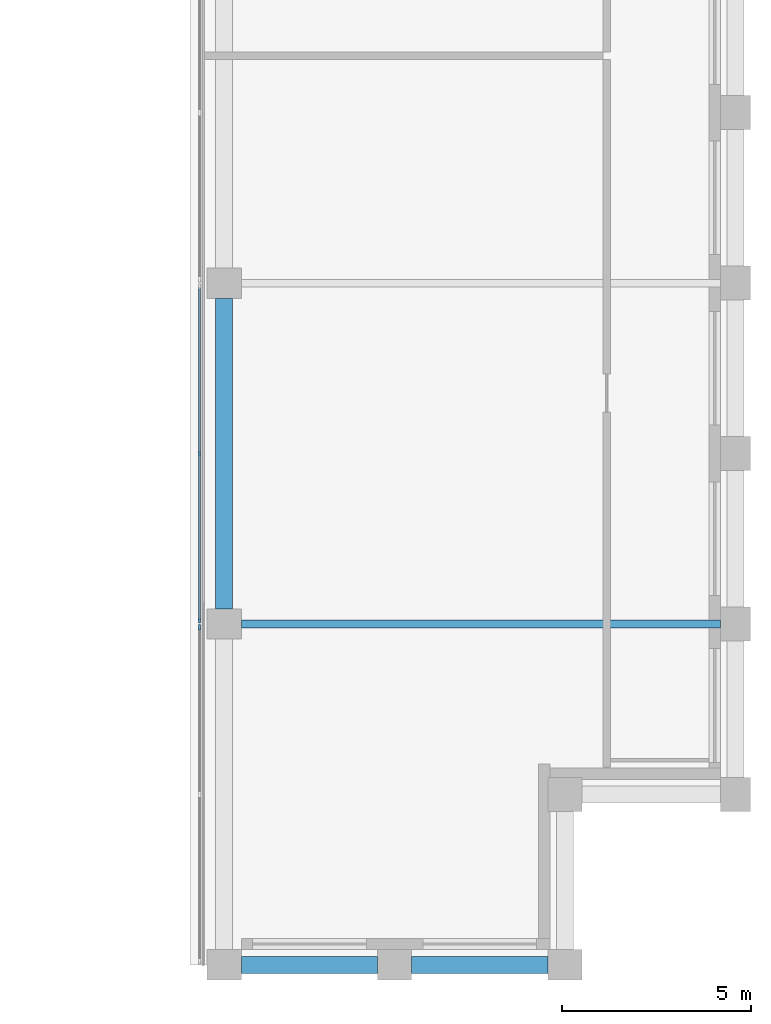
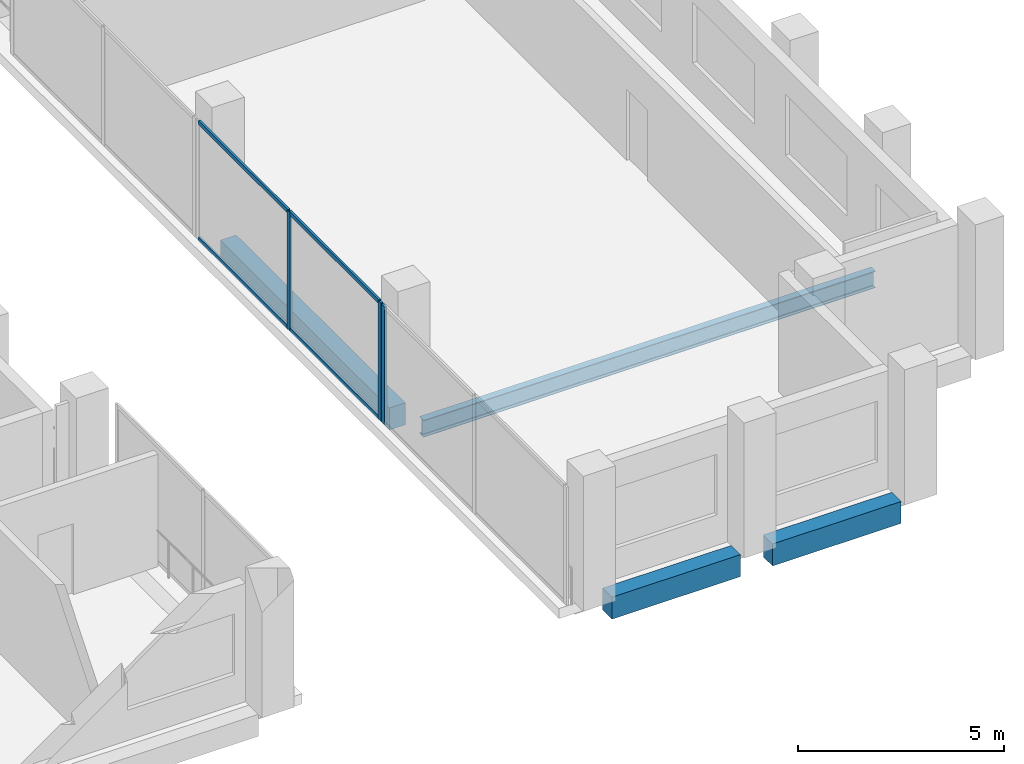
# One storey, part 3 of 9: 7 members, 4 beams, 2 elements without a shape of their own.
"""IFC4 building model written with IfcOpenShell, lengths in metres."""

from ifc_helpers import new_model, si_unit, direction, frame, origin, origin_2d, place, context, subcontext, project, spatial, rectangle, i_section, extrude, material, material_profile, profile_set, type_object, element, aggregate, save


model = new_model("IFC4")

# Units and contexts
model_context = context("Model", 3, precision=1e-05, world=origin(), true_north=direction((0.0, 1.0)))
body_context = subcontext(model_context, "Body", "Model", "MODEL_VIEW")
ifc_project = project(units=[si_unit("LENGTHUNIT", "METRE"), si_unit("AREAUNIT", "SQUARE_METRE"), si_unit("VOLUMEUNIT", "CUBIC_METRE"), si_unit("PLANEANGLEUNIT", "RADIAN"), si_unit("MASSUNIT", "GRAM", prefix="KILO")], contexts=[model_context])

# Site, building, storey
site_placement = place(None, origin())
site = spatial("IfcSite", under=ifc_project, at=site_placement, CompositionType="ELEMENT")
building_placement = place(site_placement, origin())
building = spatial("IfcBuilding", under=site, at=building_placement, Name="Brondeck Convention Tower", CompositionType="ELEMENT")
storey_placement = place(building_placement, frame((0.0, 0.0, 290.800048828125)))
storey = spatial("IfcBuildingStorey", under=building, at=storey_placement, Name="L72", CompositionType="ELEMENT", Elevation=290.800048828125)

# Curtain wall, members
ifc_material_1 = material(Name="Aluminium, bronze anodised", Category="aluminium")
curtain_wall_type = type_object("IfcCurtainWallType", Name="Crown screen curtain wall", PredefinedType="NOTDEFINED", material=ifc_material_1)
curtain_wall_1_placement = place(storey_placement, origin())
curtain_wall_1 = element("IfcCurtainWall", 1, at=curtain_wall_1_placement, inside=storey, type_object=curtain_wall_type, Name="ENV-CW4-L72-K2-SLOT-E-05", PredefinedType="NOTDEFINED")
ifc_material_profile_1 = material_profile(ifc_material_1, rectangle(XDim=0.06005859375, YDim=0.139892578125, at=origin_2d()), Name="CW4 mullion")
ifc_profile_set_1 = profile_set([ifc_material_profile_1], Name="Aluminium, bronze anodised")
member_type_1 = type_object("IfcMemberType", Name="CW4 mullion", PredefinedType="MULLION", material=ifc_profile_set_1)
member_1_placement = place(storey_placement, frame((21.85009765625, 36.090087890625, 0.0), z_axis=(0.0, 0.0, 1.0), x_axis=(-1.0, 0.0, 0.0)))
member_1 = element("IfcMember", 2, at=member_1_placement, type_object=member_type_1, Name="CW4 mullion 1", PredefinedType="MULLION", context=body_context, shape_type="SweptSolid", body=[
    extrude(rectangle(XDim=0.06005859375, YDim=0.139892578125, at=origin_2d()), origin(), (0.0, 0.0, 1.0), 3.5),
])
member_2_placement = place(storey_placement, frame((21.85009765625, 40.5, 0.0), z_axis=(0.0, 0.0, 1.0), x_axis=(-1.0, 0.0, 0.0)))
member_2 = element("IfcMember", 3, at=member_2_placement, type_object=member_type_1, Name="CW4 mullion 2", PredefinedType="MULLION", context=body_context, shape_type="SweptSolid", body=[
    extrude(rectangle(XDim=0.06005859375, YDim=0.139892578125, at=origin_2d()), origin(), (0.0, 0.0, 1.0), 3.5),
])

# Curtain wall, member
curtain_wall_2_placement = place(storey_placement, origin())
curtain_wall_2 = element("IfcCurtainWall", 4, at=curtain_wall_2_placement, inside=storey, type_object=curtain_wall_type, Name="ENV-CW4-L72-K2-SLOT-E-07-1", PredefinedType="NOTDEFINED")
member_3_placement = place(storey_placement, frame((21.85009765625, 35.909912109375, 0.0), z_axis=(0.0, 0.0, 1.0), x_axis=(-1.0, 0.0, 0.0)))
member_3 = element("IfcMember", 5, at=member_3_placement, type_object=member_type_1, Name="CW4 mullion 3", PredefinedType="MULLION", context=body_context, shape_type="SweptSolid", body=[
    extrude(rectangle(XDim=0.06005859375, YDim=0.139892578125, at=origin_2d()), origin(), (0.0, 0.0, 1.0), 3.5),
])
aggregate(curtain_wall_2, [member_3])

# Member
ifc_material_profile_2 = material_profile(ifc_material_1, rectangle(XDim=0.06005859375, YDim=0.1201171875, at=origin_2d()), Name="CW4 transom")
ifc_profile_set_2 = profile_set([ifc_material_profile_2], Name="Aluminium, bronze anodised")
member_type_2 = type_object("IfcMemberType", Name="CW4 transom", PredefinedType="USERDEFINED", material=ifc_profile_set_2)
member_4_placement = place(storey_placement, frame((21.85009765625, 36.1201171875, 0.030029296875), z_axis=(0.0, 1.0, 0.0), x_axis=(-1.0, 0.0, 0.0)))
member_4 = element("IfcMember", 6, at=member_4_placement, type_object=member_type_2, Name="CW4 transom 1.1", ObjectType="TRANSOM", PredefinedType="USERDEFINED", context=body_context, shape_type="SweptSolid", body=[
    extrude(rectangle(XDim=0.06005859375, YDim=0.1201171875, at=origin_2d()), origin(), (0.0, 0.0, 1.0), 4.349853515625),
])

member_5_placement = place(storey_placement, frame((21.85009765625, 36.1201171875, 3.469970703125), z_axis=(0.0, 1.0, 0.0), x_axis=(-1.0, 0.0, 0.0)))
member_5 = element("IfcMember", 7, at=member_5_placement, type_object=member_type_2, Name="CW4 transom 1.2", ObjectType="TRANSOM", PredefinedType="USERDEFINED", context=body_context, shape_type="SweptSolid", body=[
    extrude(rectangle(XDim=0.06005859375, YDim=0.1201171875, at=origin_2d()), origin(), (0.0, 0.0, 1.0), 4.349853515625),
])

member_6_placement = place(storey_placement, frame((21.85009765625, 40.530029296875, 0.030029296875), z_axis=(0.0, 1.0, 0.0), x_axis=(-1.0, 0.0, 0.0)))
member_6 = element("IfcMember", 8, at=member_6_placement, type_object=member_type_2, Name="CW4 transom 2.1", ObjectType="TRANSOM", PredefinedType="USERDEFINED", context=body_context, shape_type="SweptSolid", body=[
    extrude(rectangle(XDim=0.06005859375, YDim=0.1201171875, at=origin_2d()), origin(), (0.0, 0.0, 1.0), 4.349853515625),
])

member_7_placement = place(storey_placement, frame((21.85009765625, 40.530029296875, 3.469970703125), z_axis=(0.0, 1.0, 0.0), x_axis=(-1.0, 0.0, 0.0)))
member_7 = element("IfcMember", 9, at=member_7_placement, type_object=member_type_2, Name="CW4 transom 2.2", ObjectType="TRANSOM", PredefinedType="USERDEFINED", context=body_context, shape_type="SweptSolid", body=[
    extrude(rectangle(XDim=0.06005859375, YDim=0.1201171875, at=origin_2d()), origin(), (0.0, 0.0, 1.0), 4.349853515625),
])

aggregate(curtain_wall_1, [member_1, member_2, member_4, member_5, member_6, member_7])

# Beams
ifc_material_2 = material(Name="Steel S355", Category="steel")
ifc_material_profile_3 = material_profile(ifc_material_2, i_section(OverallWidth=0.199951171875, OverallDepth=0.5, WebThickness=0.01025390625, FlangeThickness=0.01611328125, FilletRadius=0.02099609375, at=origin_2d()), Name="IPE 500")
ifc_profile_set_3 = profile_set([ifc_material_profile_3], Name="Steel S355")
beam_type_1 = type_object("IfcBeamType", Name="Crown frame Floor beam IPE 500", PredefinedType="BEAM", material=ifc_profile_set_3)
beam_1_placement = place(storey_placement, frame((22.949951171875, 36.0, -0.550048828125), z_axis=(1.0, 0.0, 0.0), x_axis=(0.0, 1.0, 0.0)))
element("IfcBeam", 10, at=beam_1_placement, inside=storey, type_object=beam_type_1, Name="STR-FB-L72K2-001", PredefinedType="BEAM", context=body_context, shape_type="SweptSolid", body=[
    extrude(i_section(OverallWidth=0.199951171875, OverallDepth=0.5, WebThickness=0.01025390625, FlangeThickness=0.01611328125, FilletRadius=0.02099609375, at=origin_2d()), origin(), (0.0, 0.0, 1.0), 12.650146484375),
])
ifc_material_3 = material(Name="Concrete C50/60", Category="concrete")
ifc_material_profile_4 = material_profile(ifc_material_3, rectangle(XDim=0.449951171875, YDim=0.64990234375, at=origin_2d()), Name="Precast spandrel 450x650 Concrete C50/60")
ifc_profile_set_4 = profile_set([ifc_material_profile_4], Name="Concrete C50/60")
beam_type_2 = type_object("IfcBeamType", Name="Precast spandrel 450x650 Concrete C50/60", PredefinedType="SPANDREL", material=ifc_profile_set_4)
for number, where, z_axis, x_axis, name in (
    (11, (22.949951171875, 27.0, -0.324951171875), (1.0, 0.0, 0.0), (0.0, 1.0, 0.0), "STR-SP-L72K2-001"),
    (12, (27.449951171875, 27.0, -0.324951171875), (1.0, 0.0, 0.0), (0.0, 1.0, 0.0), "STR-SP-L72K2-002"),
):
    element("IfcBeam", number, at=place(storey_placement, frame(where, z_axis=z_axis, x_axis=x_axis)), inside=storey, type_object=beam_type_2, Name=name, PredefinedType="SPANDREL", context=body_context, shape_type="SweptSolid", body=[
        extrude(rectangle(XDim=0.449951171875, YDim=0.64990234375, at=origin_2d()), origin(), (0.0, 0.0, 1.0), 3.60009765625),
    ])
beam_2_placement = place(storey_placement, frame((22.5, 44.60009765625, -0.324951171875), z_axis=(0.0, -1.0, 0.0), x_axis=(1.0, 0.0, 0.0)))
element("IfcBeam", 13, at=beam_2_placement, inside=storey, type_object=beam_type_2, Name="STR-SP-L72K2-016", PredefinedType="SPANDREL", context=body_context, shape_type="SweptSolid", body=[
    extrude(rectangle(XDim=0.449951171875, YDim=0.64990234375, at=origin_2d()), origin(), (0.0, 0.0, 1.0), 8.2001953125),
])

save(model, "model.ifc")
